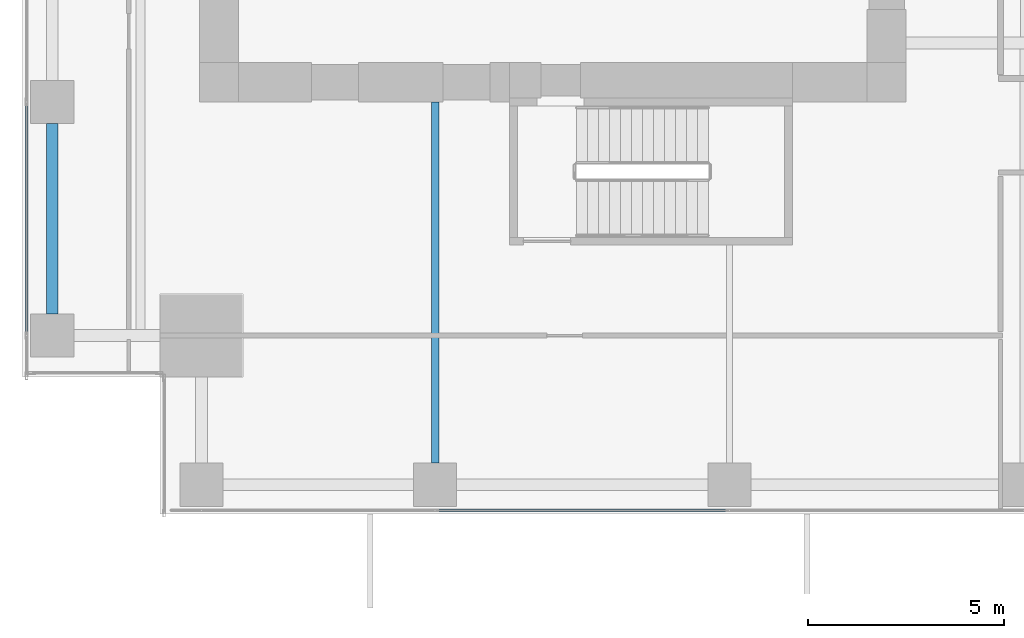
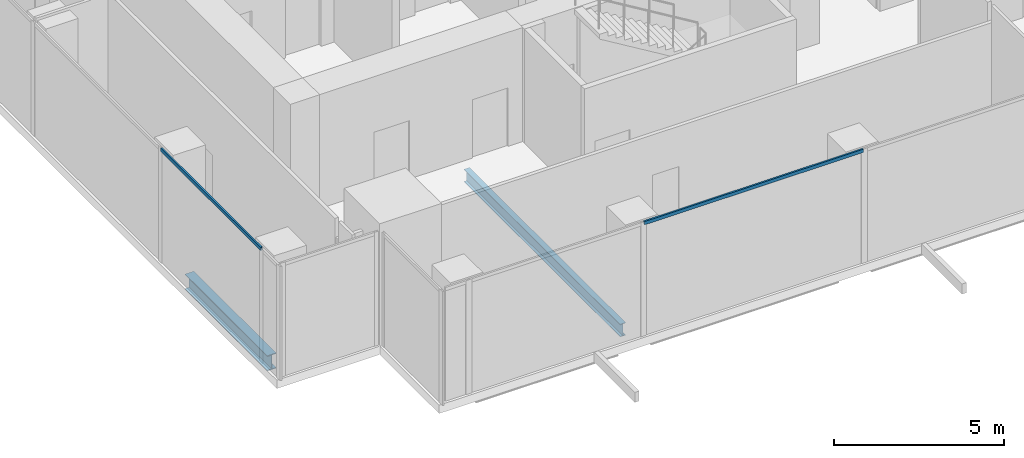
# One storey, part 3 of 35: 2 beams, 2 members, 2 elements without a shape of their own.
"""IFC4 building model written with IfcOpenShell, lengths in metres."""

import ifcopenshell
import ifcopenshell.guid

model = None  # the IFC model being written
_history = None  # IfcOwnerHistory: only IFC2X3 demands one
_inside = {}  # id of a spatial element -> (the spatial element, [elements in it])
_under = {}  # id of a project, library or spatial element -> (it, [spatial elements below it])
_declared = {}  # id of a project -> (the project, [libraries it declares])
_typed = {}  # id of a type object -> (the type object, [elements of that type])
_made_of = {}  # id of a material, layer set ... -> (it, [elements and type objects made of it])


def new_model(schema):
    """Start an empty IFC model of exactly this schema.

    Asked for "IFC4X3", IfcOpenShell would pick the latest addendum, in which some entities
    have other attributes; the version numbers below select the first issue.
    IFC2X3 requires an IfcOwnerHistory on every rooted entity: one is made here for all.
    """
    global model, _history
    if schema == "IFC4X3":
        model = ifcopenshell.file(schema_version=(4, 3, 0, 0))
    else:
        model = ifcopenshell.file(schema=schema)
    _inside.clear()
    _under.clear()
    _declared.clear()
    _typed.clear()
    _made_of.clear()
    _history = None
    if model.schema == "IFC2X3":
        org = make("IfcOrganization", Name="unknown")
        user = make(
            "IfcPersonAndOrganization",
            ThePerson=make("IfcPerson", FamilyName="unknown"),
            TheOrganization=org,
        )
        app = make(
            "IfcApplication",
            ApplicationDeveloper=org,
            Version="unknown",
            ApplicationFullName="unknown",
            ApplicationIdentifier="unknown",
        )
        _history = make(
            "IfcOwnerHistory",
            OwningUser=user,
            OwningApplication=app,
            ChangeAction="ADDED",
            CreationDate=0,
        )
    return model


def make(cls, **values):
    """One entity of the class cls with the attributes given. An attribute that is None is left unset."""
    return model.create_entity(
        cls, **{name: value for name, value in values.items() if value is not None}
    )


def rooted(cls, **values):
    """An entity with a GlobalId (a new one), such as an element, a storey or a relation."""
    return make(cls, GlobalId=ifcopenshell.guid.new(), OwnerHistory=_history, **values)


def si_unit(unit_type, name, prefix=None):
    """IfcSIUnit, for example si_unit("LENGTHUNIT", "METRE", prefix="MILLI")."""
    return make("IfcSIUnit", UnitType=unit_type, Prefix=prefix, Name=name)


def assignment(units):
    """IfcUnitAssignment: the units of a project."""
    return None if units is None else make("IfcUnitAssignment", Units=units)


def point(xyz):
    """IfcCartesianPoint."""
    return None if xyz is None else make("IfcCartesianPoint", Coordinates=xyz)


def direction(xyz):
    """IfcDirection."""
    return None if xyz is None else make("IfcDirection", DirectionRatios=xyz)


def frame(location, z_axis=None, x_axis=None):
    """IfcAxis2Placement3D, a coordinate frame: its origin and axes. An axis left out is left unset."""
    return make(
        "IfcAxis2Placement3D",
        Location=point(location),
        Axis=direction(z_axis),
        RefDirection=direction(x_axis),
    )


def frame_2d(location, x_axis=None):
    """IfcAxis2Placement2D, a coordinate frame in the plane: its origin and x axis."""
    return make(
        "IfcAxis2Placement2D", Location=point(location), RefDirection=direction(x_axis)
    )


def origin():
    """The frame at (0, 0, 0) with its axes left unset."""
    return frame((0.0, 0.0, 0.0))


def origin_2d():
    """The frame at (0, 0) in the plane with its x axis left unset."""
    return frame_2d((0.0, 0.0))


def place(relative_to, where):
    """IfcLocalPlacement: puts the frame where relative to a parent placement (None: the world)."""
    return make(
        "IfcLocalPlacement", PlacementRelTo=relative_to, RelativePlacement=where
    )


def context(
    kind, dimensions, precision=None, world=None, true_north=None, identifier=None
):
    """IfcGeometricRepresentationContext, for example the 3D "Model" context."""
    return make(
        "IfcGeometricRepresentationContext",
        ContextIdentifier=identifier,
        ContextType=kind,
        CoordinateSpaceDimension=dimensions,
        Precision=precision,
        WorldCoordinateSystem=world,
        TrueNorth=true_north,
    )


def subcontext(parent, identifier, kind, view, scale=None):
    """IfcGeometricRepresentationSubContext, for example "Body" below "Model"."""
    return make(
        "IfcGeometricRepresentationSubContext",
        ContextIdentifier=identifier,
        ContextType=kind,
        ParentContext=parent,
        TargetScale=scale,
        TargetView=view,
    )


def project(units=None, contexts=None):
    """IfcProject with its units and contexts."""
    return rooted(
        "IfcProject",
        Name="project",
        RepresentationContexts=contexts,
        UnitsInContext=assignment(units),
    )


def spatial(cls, under=None, at=None, **own):
    """A site, building, storey or space (cls), placed at a placement, below another one or the project."""
    s = rooted(cls, ObjectPlacement=at, **own)
    if under is not None:
        _under.setdefault(under.id(), (under, []))[1].append(s)
    return s


def profile(cls, at=None, kind="AREA", **sizes):
    """A parametric profile (cls). Its sizes go by their IFC names, for example OverallWidth=200.0."""
    return make(cls, ProfileType=kind, Position=at, **sizes)


def hollow_rectangle(**sizes):
    """IfcRectangleHollowProfileDef."""
    return profile("IfcRectangleHollowProfileDef", **sizes)


def i_section(**sizes):
    """IfcIShapeProfileDef."""
    return profile("IfcIShapeProfileDef", **sizes)


def extrude(swept, where, along, depth):
    """IfcExtrudedAreaSolid: the profile swept, set in the frame where, extruded along a direction by depth."""
    return make(
        "IfcExtrudedAreaSolid",
        SweptArea=swept,
        Position=where,
        ExtrudedDirection=direction(along),
        Depth=depth,
    )


def shape(context_of_items, identifier, shape_type, items):
    """IfcShapeRepresentation: the items that make up one representation, for example the "Body"."""
    return make(
        "IfcShapeRepresentation",
        ContextOfItems=context_of_items,
        RepresentationIdentifier=identifier,
        RepresentationType=shape_type,
        Items=items,
    )


def source(mapping_origin, context_of_items, identifier, shape_type, items):
    """IfcRepresentationMap: a shape defined once, which mapped items show again and again."""
    return make(
        "IfcRepresentationMap",
        MappingOrigin=mapping_origin,
        MappedRepresentation=shape(context_of_items, identifier, shape_type, items),
    )


def transform(
    local_origin,
    x_axis=None,
    y_axis=None,
    z_axis=None,
    scale=None,
    scale2=None,
    scale3=None,
    uniform=True,
):
    """IfcCartesianTransformationOperator3D, or its non-uniform kind. x_axis, y_axis, z_axis: its Axis1, 2, 3."""
    if uniform:
        return make(
            "IfcCartesianTransformationOperator3D",
            Axis1=direction(x_axis),
            Axis2=direction(y_axis),
            LocalOrigin=point(local_origin),
            Scale=scale,
            Axis3=direction(z_axis),
        )
    return make(
        "IfcCartesianTransformationOperator3DnonUniform",
        Axis1=direction(x_axis),
        Axis2=direction(y_axis),
        LocalOrigin=point(local_origin),
        Scale=scale,
        Axis3=direction(z_axis),
        Scale2=scale2,
        Scale3=scale3,
    )


def mapped(mapping_source, mapping_target):
    """IfcMappedItem: shows the shape of a source again, moved by a transform."""
    return make(
        "IfcMappedItem", MappingSource=mapping_source, MappingTarget=mapping_target
    )


def material(Name=None, Category=None):
    """IfcMaterial."""
    return make("IfcMaterial", Name=Name, Category=Category)


def material_profile(
    of_material, cross_section, Name=None, Category=None, Priority=None
):
    """IfcMaterialProfile: a cross section and its material."""
    return make(
        "IfcMaterialProfile",
        Name=Name,
        Material=of_material,
        Profile=cross_section,
        Priority=Priority,
        Category=Category,
    )


def profile_set(profiles, Name=None, composite=None):
    """IfcMaterialProfileSet."""
    return make(
        "IfcMaterialProfileSet",
        Name=Name,
        MaterialProfiles=profiles,
        CompositeProfile=composite,
    )


def made_of(thing, what):
    """Note that an element or type object is made of a material, layer set ...; save() writes the relation."""
    if what is not None:
        _made_of.setdefault(what.id(), (what, []))[1].append(thing)
    return thing


def type_object(cls, material=None, **own):
    """A type object (cls), such as IfcWallType, which elements share."""
    return made_of(rooted(cls, **own), material)


def element(
    cls,
    number,
    at=None,
    inside=None,
    cuts=None,
    type_object=None,
    material=None,
    context=None,
    identifier="Body",
    shape_type=None,
    held_by="IfcProductDefinitionShape",
    body=None,
    shapes=None,
    **own,
):
    """One element of the class cls, such as IfcWall. Its Tag is "e" and its number.

    at: its placement. inside: the storey or other place that contains it. cuts: it is an
    opening in that element (IfcRelVoidsElement). A single representation is given by context,
    identifier, shape_type and body (its items); several are given by shapes. held_by: the class
    of the entity that holds the representations. save() writes the other relations.
    """
    e = rooted(cls, Tag="e%d" % number, ObjectPlacement=at, **own)
    if body is not None:
        shapes = [shape(context, identifier, shape_type, body)]
    if shapes is not None:
        e.Representation = make(held_by, Representations=shapes)
    if inside is not None:
        _inside.setdefault(inside.id(), (inside, []))[1].append(e)
    if cuts is not None:
        rooted(
            "IfcRelVoidsElement", RelatingBuildingElement=cuts, RelatedOpeningElement=e
        )
    if type_object is not None:
        _typed.setdefault(type_object.id(), (type_object, []))[1].append(e)
    return made_of(e, material)


def aggregate(whole, parts):
    """IfcRelAggregates: a whole, such as a stair, and the parts it consists of."""
    return rooted("IfcRelAggregates", RelatingObject=whole, RelatedObjects=parts)


def save(model, path):
    """Write the relations noted so far, then the file.

    IfcRelAggregates (storeys below a building ...), IfcRelContainedInSpatialStructure (elements
    in a storey), IfcRelDefinesByType, IfcRelAssociatesMaterial and IfcRelDeclares: one each for
    every whole, place, type object, material and project.
    """
    for whole, parts in _under.values():
        aggregate(whole, parts)
    for where, things in _inside.values():
        rooted(
            "IfcRelContainedInSpatialStructure",
            RelatedElements=things,
            RelatingStructure=where,
        )
    for kind, things in _typed.values():
        rooted("IfcRelDefinesByType", RelatedObjects=things, RelatingType=kind)
    for what, things in _made_of.values():
        rooted("IfcRelAssociatesMaterial", RelatedObjects=things, RelatingMaterial=what)
    for by, libraries in _declared.values():
        rooted("IfcRelDeclares", RelatingContext=by, RelatedDefinitions=libraries)
    model.write(path)


model = new_model("IFC4")

# Units and contexts
model_context = context("Model", 3, precision=1e-05, world=origin(), true_north=direction((0.0, 1.0)))
body_context = subcontext(model_context, "Body", "Model", "MODEL_VIEW")
ifc_project = project(units=[si_unit("LENGTHUNIT", "METRE"), si_unit("AREAUNIT", "SQUARE_METRE"), si_unit("VOLUMEUNIT", "CUBIC_METRE"), si_unit("PLANEANGLEUNIT", "RADIAN"), si_unit("MASSUNIT", "GRAM", prefix="KILO")], contexts=[model_context])

# Site, building, storey
site_placement = place(None, origin())
site = spatial("IfcSite", under=ifc_project, at=site_placement, CompositionType="ELEMENT")
building_placement = place(site_placement, origin())
building = spatial("IfcBuilding", under=site, at=building_placement, Name="Khomas Fold Tower", CompositionType="ELEMENT")
storey_placement = place(building_placement, frame((0.0, 0.0, 132.300048828125)))
storey = spatial("IfcBuildingStorey", under=building, at=storey_placement, Name="L28", CompositionType="ELEMENT", Elevation=132.300048828125)

# Beams
ifc_material_1 = material(Name="Steel S355", Category="steel")
ifc_material_profile_1 = material_profile(ifc_material_1, i_section(OverallWidth=0.300048828125, OverallDepth=0.550048828125, WebThickness=0.014892578125, FlangeThickness=0.029052734375, at=origin_2d()), Name="HE 550 B")
ifc_profile_set_1 = profile_set([ifc_material_profile_1], Name="Steel S355")
beam_type_1 = type_object("IfcBeamType", Name="HE 550 B spandrel SB2", PredefinedType="SPANDREL", material=ifc_profile_set_1)
shared_shape_1 = source(origin(), body_context, "Body", "SweptSolid", [
    extrude(i_section(OverallWidth=0.300048828125, OverallDepth=0.550048828125, WebThickness=0.014892578125, FlangeThickness=0.029052734375, at=origin_2d()), origin(), (0.0, 0.0, 1.0), 4.849853515625),
])
beam_1_placement = place(storey_placement, frame((2.25, 6.60009765625, -0.574951171875), z_axis=(0.0, 1.0, 0.0), x_axis=(-1.0, 0.0, 0.0)))
element("IfcBeam", 1, at=beam_1_placement, inside=storey, type_object=beam_type_1, Name="SB2", PredefinedType="SPANDREL", context=body_context, shape_type="MappedRepresentation", body=[
    mapped(shared_shape_1, transform((0.0, 0.0, 0.0))),
])
ifc_material_2 = material(Name="Steel S355", Category="steel")
ifc_material_profile_2 = material_profile(ifc_material_2, i_section(OverallWidth=0.18994140625, OverallDepth=0.449951171875, WebThickness=0.009521484375, FlangeThickness=0.0146484375, at=origin_2d()), Name="IPE 450")
ifc_profile_set_2 = profile_set([ifc_material_profile_2], Name="Steel S355")
beam_type_2 = type_object("IfcBeamType", Name="IPE 450 beam JB4", PredefinedType="BEAM", material=ifc_profile_set_2)
shared_shape_2 = source(origin(), body_context, "Body", "SweptSolid", [
    extrude(i_section(OverallWidth=0.18994140625, OverallDepth=0.449951171875, WebThickness=0.009521484375, FlangeThickness=0.0146484375, at=origin_2d()), origin(), (0.0, 0.0, 1.0), 9.199951171875),
])
beam_2_placement = place(storey_placement, frame((12.0, 2.800048828125, -0.525146484375), z_axis=(0.0, 1.0, 0.0), x_axis=(-1.0, 0.0, 0.0)))
element("IfcBeam", 2, at=beam_2_placement, inside=storey, type_object=beam_type_2, Name="JB4", PredefinedType="BEAM", context=body_context, shape_type="MappedRepresentation", body=[
    mapped(shared_shape_2, transform((0.0, 0.0, 0.0))),
])

# Curtain wall, member
ifc_material_3 = material(Name="Aluminium framed double glazing", Category="aluminium")
curtain_wall_type = type_object("IfcCurtainWallType", Name="SK-Unitised clear-glass wall, growing floors CW1", PredefinedType="NOTDEFINED", material=ifc_material_3)
curtain_wall_1_placement = place(storey_placement, origin())
curtain_wall_1 = element("IfcCurtainWall", 3, at=curtain_wall_1_placement, inside=storey, type_object=curtain_wall_type, Name="CW1 run L28 00-0", PredefinedType="NOTDEFINED")
ifc_material_4 = material(Name="Aluminium", Category="aluminium")
ifc_material_profile_3 = material_profile(ifc_material_4, hollow_rectangle(XDim=0.06005859375, YDim=0.1201171875, WallThickness=0.00390625, at=origin_2d()), Name="SK-Unitised clear-glass wall, growing floors transom CW1-T")
ifc_profile_set_3 = profile_set([ifc_material_profile_3], Name="Aluminium")
member_type = type_object("IfcMemberType", Name="SK-Unitised clear-glass wall, growing floors transom CW1-T", PredefinedType="USERDEFINED", material=ifc_profile_set_3)
shared_shape_3 = source(origin(), body_context, "Body", "SweptSolid", [
    extrude(hollow_rectangle(XDim=0.06005859375, YDim=0.1201171875, WallThickness=0.00390625, at=origin_2d()), origin(), (0.0, 0.0, 1.0), 7.43994140625),
])
member_1_placement = place(storey_placement, frame((12.030029296875, 1.60009765625, 4.0400390625), z_axis=(1.0, 0.0, 0.0), x_axis=(0.0, 1.0, 0.0)))
member_1 = element("IfcMember", 4, at=member_1_placement, type_object=member_type, Name="CW1 transom 3", ObjectType="TRANSOM", PredefinedType="USERDEFINED", context=body_context, shape_type="MappedRepresentation", body=[
    mapped(shared_shape_3, transform((0.0, 0.0, 0.0))),
])
aggregate(curtain_wall_1, [member_1])

curtain_wall_2_placement = place(storey_placement, origin())
curtain_wall_2 = element("IfcCurtainWall", 5, at=curtain_wall_2_placement, inside=storey, type_object=curtain_wall_type, Name="CW1 run L28 09-1", PredefinedType="NOTDEFINED")
shared_shape_4 = source(origin(), body_context, "Body", "SweptSolid", [
    extrude(hollow_rectangle(XDim=0.06005859375, YDim=0.1201171875, WallThickness=0.00390625, at=origin_2d()), origin(), (0.0, 0.0, 1.0), 5.889892578125),
])
member_2_placement = place(storey_placement, frame((1.60009765625, 11.969970703125, 4.0400390625), z_axis=(0.0, -1.0, 0.0), x_axis=(1.0, 0.0, 0.0)))
member_2 = element("IfcMember", 6, at=member_2_placement, type_object=member_type, Name="CW1 transom 4", ObjectType="TRANSOM", PredefinedType="USERDEFINED", context=body_context, shape_type="MappedRepresentation", body=[
    mapped(shared_shape_4, transform((0.0, 0.0, 0.0))),
])
aggregate(curtain_wall_2, [member_2])

save(model, "model.ifc")
